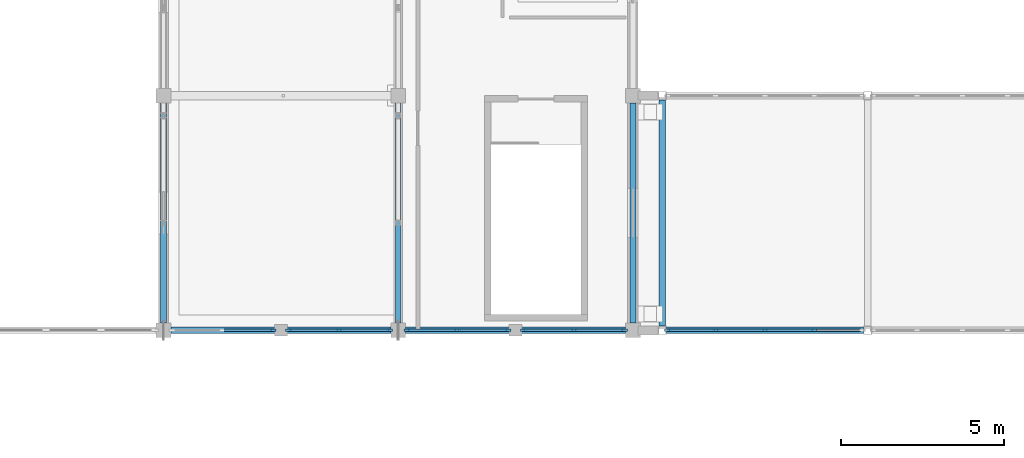
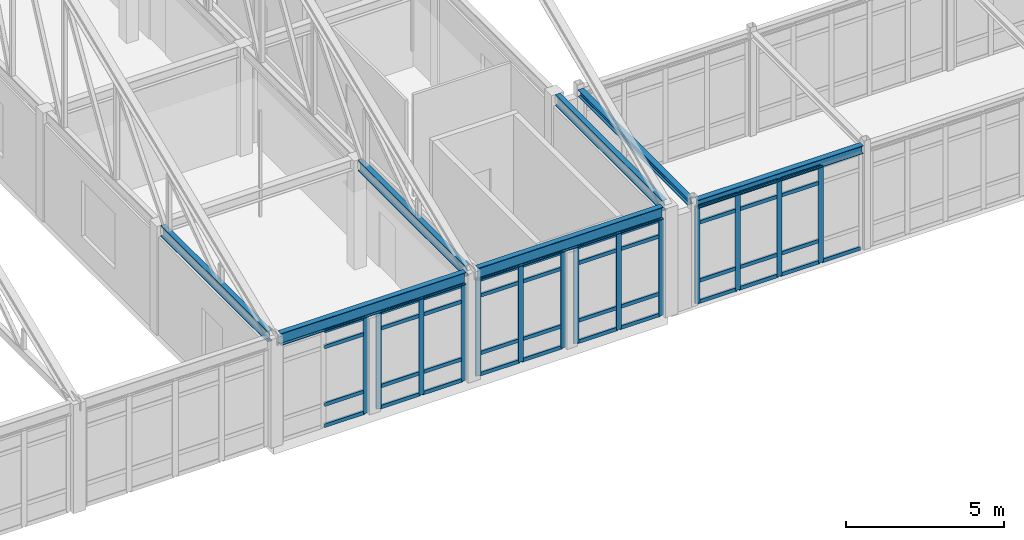
# One storey, part 31 of 136: 55 members, 7 beams, 5 elements without a shape of their own.
"""IFC4 building model written with IfcOpenShell, lengths in metres."""

from ifc_helpers import new_model, si_unit, direction, frame, origin, origin_2d, place, context, subcontext, project, spatial, rectangle, i_section, extrude, material, layer, layer_set, material_profile, profile_set, type_object, element, aggregate, save


model = new_model("IFC4")

# Units and contexts
model_context = context("Model", 3, precision=1e-05, world=origin(), true_north=direction((0.0, 1.0)))
body_context = subcontext(model_context, "Body", "Model", "MODEL_VIEW")
ifc_project = project(units=[si_unit("LENGTHUNIT", "METRE"), si_unit("AREAUNIT", "SQUARE_METRE"), si_unit("VOLUMEUNIT", "CUBIC_METRE"), si_unit("PLANEANGLEUNIT", "RADIAN"), si_unit("MASSUNIT", "GRAM", prefix="KILO")], contexts=[model_context])

# Site, building, storey
site_placement = place(None, origin())
site = spatial("IfcSite", under=ifc_project, at=site_placement, CompositionType="ELEMENT")
building_placement = place(site_placement, origin())
building = spatial("IfcBuilding", under=site, at=building_placement, Name="Koriwan Promenade Central Fire Station", CompositionType="ELEMENT")
storey_placement = place(building_placement, frame((0.0, 0.0, 5.39990234375)))
storey = spatial("IfcBuildingStorey", under=building, at=storey_placement, Name="L01", CompositionType="ELEMENT", Elevation=5.39990234375)

# Curtain wall, members
ifc_material_1 = material(Name="Aluminium EN AW-6063-T6 and low-E glazing", Category="aluminium")
ifc_layer_1 = layer(ifc_material_1, 0.159912109375, Name="Aluminium EN AW-6063-T6 and low-E glazing")
ifc_layer_set_1 = layer_set([ifc_layer_1], Name="Aluminium EN AW-6063-T6 and low-E glazing")
curtain_wall_type_1 = type_object("IfcCurtainWallType", Name="CurtainWall_01_317x372", PredefinedType="USERDEFINED", material=ifc_layer_set_1)
curtain_wall_1_placement = place(storey_placement, origin())
curtain_wall_1 = element("IfcCurtainWall", 1, at=curtain_wall_1_placement, inside=storey, type_object=curtain_wall_type_1, Name="V1 L01 unitised curtain wall 009", ObjectType="UNITISED CURTAIN WALL", PredefinedType="USERDEFINED")
ifc_material_2 = material(Name="Aluminium EN AW-6063-T6", Category="aluminium")
ifc_material_profile_1 = material_profile(ifc_material_2, rectangle(XDim=0.074951171875, YDim=0.179931640625, at=origin_2d()), Name="ALU-MUL-75x180")
ifc_profile_set_1 = profile_set([ifc_material_profile_1], Name="Aluminium EN AW-6063-T6")
member_type_1 = type_object("IfcMemberType", Name="CWMullion_ALU-MUL-75x180", PredefinedType="MULLION", material=ifc_profile_set_1)
member_1_placement = place(storey_placement, frame((114.9375, 43.199951171875, 0.0), z_axis=(0.0, 0.0, 1.0), x_axis=(0.0, -1.0, 0.0)))
member_1 = element("IfcMember", 2, at=member_1_placement, type_object=member_type_1, Name="CW-01 mullion 1", PredefinedType="MULLION", context=body_context, shape_type="SweptSolid", body=[
    extrude(rectangle(XDim=0.074951171875, YDim=0.179931640625, at=origin_2d()), origin(), (0.0, 0.0, 1.0), 3.72119140625),
])
member_2_placement = place(storey_placement, frame((113.387451171875, 43.199951171875, 0.0), z_axis=(0.0, 0.0, 1.0), x_axis=(0.0, -1.0, 0.0)))
member_2 = element("IfcMember", 3, at=member_2_placement, type_object=member_type_1, Name="CW-01 mullion 2", PredefinedType="MULLION", context=body_context, shape_type="SweptSolid", body=[
    extrude(rectangle(XDim=0.074951171875, YDim=0.179931640625, at=origin_2d()), origin(), (0.0, 0.0, 1.0), 3.72119140625),
])
member_3_placement = place(storey_placement, frame((111.83740234375, 43.199951171875, 0.0), z_axis=(0.0, 0.0, 1.0), x_axis=(0.0, -1.0, 0.0)))
member_3 = element("IfcMember", 4, at=member_3_placement, type_object=member_type_1, Name="CW-01 mullion 3", PredefinedType="MULLION", context=body_context, shape_type="SweptSolid", body=[
    extrude(rectangle(XDim=0.074951171875, YDim=0.179931640625, at=origin_2d()), origin(), (0.0, 0.0, 1.0), 3.72119140625),
])

ifc_layer_2 = layer(ifc_material_1, 0.159912109375, Name="Aluminium EN AW-6063-T6 and low-E glazing")
ifc_layer_set_2 = layer_set([ifc_layer_2], Name="Aluminium EN AW-6063-T6 and low-E glazing")
curtain_wall_type_2 = type_object("IfcCurtainWallType", Name="CurtainWall_02_318x372", PredefinedType="USERDEFINED", material=ifc_layer_set_2)
curtain_wall_2_placement = place(storey_placement, origin())
curtain_wall_2 = element("IfcCurtainWall", 5, at=curtain_wall_2_placement, inside=storey, type_object=curtain_wall_type_2, Name="V1 L01 unitised curtain wall 010", ObjectType="UNITISED CURTAIN WALL", PredefinedType="USERDEFINED")
member_4_placement = place(storey_placement, frame((111.362548828125, 43.199951171875, 0.0), z_axis=(0.0, 0.0, 1.0), x_axis=(0.0, -1.0, 0.0)))
member_4 = element("IfcMember", 6, at=member_4_placement, type_object=member_type_1, Name="CW-02 mullion 1", PredefinedType="MULLION", context=body_context, shape_type="SweptSolid", body=[
    extrude(rectangle(XDim=0.074951171875, YDim=0.179931640625, at=origin_2d()), origin(), (0.0, 0.0, 1.0), 3.72119140625),
])
member_5_placement = place(storey_placement, frame((109.8125, 43.199951171875, 0.0), z_axis=(0.0, 0.0, 1.0), x_axis=(0.0, -1.0, 0.0)))
member_5 = element("IfcMember", 7, at=member_5_placement, type_object=member_type_1, Name="CW-02 mullion 2", PredefinedType="MULLION", context=body_context, shape_type="SweptSolid", body=[
    extrude(rectangle(XDim=0.074951171875, YDim=0.179931640625, at=origin_2d()), origin(), (0.0, 0.0, 1.0), 3.72119140625),
])
member_6_placement = place(storey_placement, frame((108.262451171875, 43.199951171875, 0.0), z_axis=(0.0, 0.0, 1.0), x_axis=(0.0, -1.0, 0.0)))
member_6 = element("IfcMember", 8, at=member_6_placement, type_object=member_type_1, Name="CW-02 mullion 3", PredefinedType="MULLION", context=body_context, shape_type="SweptSolid", body=[
    extrude(rectangle(XDim=0.074951171875, YDim=0.179931640625, at=origin_2d()), origin(), (0.0, 0.0, 1.0), 3.72119140625),
])

curtain_wall_3_placement = place(storey_placement, origin())
curtain_wall_3 = element("IfcCurtainWall", 9, at=curtain_wall_3_placement, inside=storey, type_object=curtain_wall_type_2, Name="V1 L01 unitised curtain wall 011", ObjectType="UNITISED CURTAIN WALL", PredefinedType="USERDEFINED")
member_7_placement = place(storey_placement, frame((107.737548828125, 43.199951171875, 0.0), z_axis=(0.0, 0.0, 1.0), x_axis=(0.0, -1.0, 0.0)))
member_7 = element("IfcMember", 10, at=member_7_placement, type_object=member_type_1, Name="CW-02 mullion 1", PredefinedType="MULLION", context=body_context, shape_type="SweptSolid", body=[
    extrude(rectangle(XDim=0.074951171875, YDim=0.179931640625, at=origin_2d()), origin(), (0.0, 0.0, 1.0), 3.72119140625),
])
member_8_placement = place(storey_placement, frame((106.1875, 43.199951171875, 0.0), z_axis=(0.0, 0.0, 1.0), x_axis=(0.0, -1.0, 0.0)))
member_8 = element("IfcMember", 11, at=member_8_placement, type_object=member_type_1, Name="CW-02 mullion 2", PredefinedType="MULLION", context=body_context, shape_type="SweptSolid", body=[
    extrude(rectangle(XDim=0.074951171875, YDim=0.179931640625, at=origin_2d()), origin(), (0.0, 0.0, 1.0), 3.72119140625),
])
member_9_placement = place(storey_placement, frame((104.637451171875, 43.199951171875, 0.0), z_axis=(0.0, 0.0, 1.0), x_axis=(0.0, -1.0, 0.0)))
member_9 = element("IfcMember", 12, at=member_9_placement, type_object=member_type_1, Name="CW-02 mullion 3", PredefinedType="MULLION", context=body_context, shape_type="SweptSolid", body=[
    extrude(rectangle(XDim=0.074951171875, YDim=0.179931640625, at=origin_2d()), origin(), (0.0, 0.0, 1.0), 3.72119140625),
])

# Curtain wall, member
curtain_wall_4_placement = place(storey_placement, origin())
curtain_wall_4 = element("IfcCurtainWall", 13, at=curtain_wall_4_placement, inside=storey, type_object=curtain_wall_type_1, Name="V1 L01 unitised curtain wall 012", ObjectType="UNITISED CURTAIN WALL", PredefinedType="USERDEFINED")
member_10_placement = place(storey_placement, frame((104.16259765625, 43.199951171875, 0.0), z_axis=(0.0, 0.0, 1.0), x_axis=(0.0, -1.0, 0.0)))
member_10 = element("IfcMember", 14, at=member_10_placement, type_object=member_type_1, Name="CW-01 mullion 1", PredefinedType="MULLION", context=body_context, shape_type="SweptSolid", body=[
    extrude(rectangle(XDim=0.074951171875, YDim=0.179931640625, at=origin_2d()), origin(), (0.0, 0.0, 1.0), 3.72119140625),
])

# Curtain wall, members
ifc_layer_3 = layer(ifc_material_1, 0.159912109375, Name="Aluminium EN AW-6063-T6 and low-E glazing")
ifc_layer_set_3 = layer_set([ifc_layer_3], Name="Aluminium EN AW-6063-T6 and low-E glazing")
curtain_wall_type_3 = type_object("IfcCurtainWallType", Name="CurtainWall_97_605x374", PredefinedType="USERDEFINED", material=ifc_layer_set_3)
curtain_wall_5_placement = place(storey_placement, origin())
curtain_wall_5 = element("IfcCurtainWall", 15, at=curtain_wall_5_placement, inside=storey, type_object=curtain_wall_type_3, Name="V5 L01 unitised curtain wall 308", ObjectType="UNITISED CURTAIN WALL", PredefinedType="USERDEFINED")
member_11_placement = place(storey_placement, frame((116.262451171875, 43.199951171875, 0.0), z_axis=(0.0, 0.0, 1.0), x_axis=(0.0, 1.0, 0.0)))
member_11 = element("IfcMember", 16, at=member_11_placement, type_object=member_type_1, Name="CW-97 mullion 1", PredefinedType="MULLION", context=body_context, shape_type="SweptSolid", body=[
    extrude(rectangle(XDim=0.074951171875, YDim=0.179931640625, at=origin_2d()), origin(), (0.0, 0.0, 1.0), 3.739990234375),
])
member_12_placement = place(storey_placement, frame((117.737548828125, 43.199951171875, 0.0), z_axis=(0.0, 0.0, 1.0), x_axis=(0.0, 1.0, 0.0)))
member_12 = element("IfcMember", 17, at=member_12_placement, type_object=member_type_1, Name="CW-97 mullion 2", PredefinedType="MULLION", context=body_context, shape_type="SweptSolid", body=[
    extrude(rectangle(XDim=0.074951171875, YDim=0.179931640625, at=origin_2d()), origin(), (0.0, 0.0, 1.0), 3.739990234375),
])
member_13_placement = place(storey_placement, frame((119.25, 43.199951171875, 0.0), z_axis=(0.0, 0.0, 1.0), x_axis=(0.0, 1.0, 0.0)))
member_13 = element("IfcMember", 18, at=member_13_placement, type_object=member_type_1, Name="CW-97 mullion 3", PredefinedType="MULLION", context=body_context, shape_type="SweptSolid", body=[
    extrude(rectangle(XDim=0.074951171875, YDim=0.179931640625, at=origin_2d()), origin(), (0.0, 0.0, 1.0), 3.739990234375),
])
member_14_placement = place(storey_placement, frame((120.762451171875, 43.199951171875, 0.0), z_axis=(0.0, 0.0, 1.0), x_axis=(0.0, 1.0, 0.0)))
member_14 = element("IfcMember", 19, at=member_14_placement, type_object=member_type_1, Name="CW-97 mullion 4", PredefinedType="MULLION", context=body_context, shape_type="SweptSolid", body=[
    extrude(rectangle(XDim=0.074951171875, YDim=0.179931640625, at=origin_2d()), origin(), (0.0, 0.0, 1.0), 3.739990234375),
])

# Member
ifc_material_profile_2 = material_profile(ifc_material_2, rectangle(XDim=0.074951171875, YDim=0.139892578125, at=origin_2d()), Name="ALU-TRN-75x140")
ifc_profile_set_2 = profile_set([ifc_material_profile_2], Name="Aluminium EN AW-6063-T6")
member_type_2 = type_object("IfcMemberType", Name="CWTransom_ALU-TRN-75x140", PredefinedType="USERDEFINED", material=ifc_profile_set_2)
member_15_placement = place(storey_placement, frame((114.89990234375, 43.199951171875, 0.03759765625), z_axis=(-1.0, 0.0, 0.0), x_axis=(0.0, -1.0, 0.0)))
member_15 = element("IfcMember", 20, at=member_15_placement, type_object=member_type_2, Name="CW-01 transom 1.1", ObjectType="TRANSOM", PredefinedType="USERDEFINED", context=body_context, shape_type="SweptSolid", body=[
    extrude(rectangle(XDim=0.074951171875, YDim=0.139892578125, at=origin_2d()), origin(), (0.0, 0.0, 1.0), 1.474853515625),
])

member_16_placement = place(storey_placement, frame((114.89990234375, 43.199951171875, 0.85009765625), z_axis=(-1.0, 0.0, 0.0), x_axis=(0.0, -1.0, 0.0)))
member_16 = element("IfcMember", 21, at=member_16_placement, type_object=member_type_2, Name="CW-01 transom 1.2", ObjectType="TRANSOM", PredefinedType="USERDEFINED", context=body_context, shape_type="SweptSolid", body=[
    extrude(rectangle(XDim=0.074951171875, YDim=0.139892578125, at=origin_2d()), origin(), (0.0, 0.0, 1.0), 1.474853515625),
])

member_17_placement = place(storey_placement, frame((114.89990234375, 43.199951171875, 3.071044921875), z_axis=(-1.0, 0.0, 0.0), x_axis=(0.0, -1.0, 0.0)))
member_17 = element("IfcMember", 22, at=member_17_placement, type_object=member_type_2, Name="CW-01 transom 1.3", ObjectType="TRANSOM", PredefinedType="USERDEFINED", context=body_context, shape_type="SweptSolid", body=[
    extrude(rectangle(XDim=0.074951171875, YDim=0.139892578125, at=origin_2d()), origin(), (0.0, 0.0, 1.0), 1.474853515625),
])

member_18_placement = place(storey_placement, frame((114.89990234375, 43.199951171875, 3.68359375), z_axis=(-1.0, 0.0, 0.0), x_axis=(0.0, -1.0, 0.0)))
member_18 = element("IfcMember", 23, at=member_18_placement, type_object=member_type_2, Name="CW-01 transom 1.4", ObjectType="TRANSOM", PredefinedType="USERDEFINED", context=body_context, shape_type="SweptSolid", body=[
    extrude(rectangle(XDim=0.074951171875, YDim=0.139892578125, at=origin_2d()), origin(), (0.0, 0.0, 1.0), 1.474853515625),
])

member_19_placement = place(storey_placement, frame((113.35009765625, 43.199951171875, 0.03759765625), z_axis=(-1.0, 0.0, 0.0), x_axis=(0.0, -1.0, 0.0)))
member_19 = element("IfcMember", 24, at=member_19_placement, type_object=member_type_2, Name="CW-01 transom 2.1", ObjectType="TRANSOM", PredefinedType="USERDEFINED", context=body_context, shape_type="SweptSolid", body=[
    extrude(rectangle(XDim=0.074951171875, YDim=0.139892578125, at=origin_2d()), origin(), (0.0, 0.0, 1.0), 1.47509765625),
])

member_20_placement = place(storey_placement, frame((113.35009765625, 43.199951171875, 0.85009765625), z_axis=(-1.0, 0.0, 0.0), x_axis=(0.0, -1.0, 0.0)))
member_20 = element("IfcMember", 25, at=member_20_placement, type_object=member_type_2, Name="CW-01 transom 2.2", ObjectType="TRANSOM", PredefinedType="USERDEFINED", context=body_context, shape_type="SweptSolid", body=[
    extrude(rectangle(XDim=0.074951171875, YDim=0.139892578125, at=origin_2d()), origin(), (0.0, 0.0, 1.0), 1.47509765625),
])

member_21_placement = place(storey_placement, frame((113.35009765625, 43.199951171875, 3.071044921875), z_axis=(-1.0, 0.0, 0.0), x_axis=(0.0, -1.0, 0.0)))
member_21 = element("IfcMember", 26, at=member_21_placement, type_object=member_type_2, Name="CW-01 transom 2.3", ObjectType="TRANSOM", PredefinedType="USERDEFINED", context=body_context, shape_type="SweptSolid", body=[
    extrude(rectangle(XDim=0.074951171875, YDim=0.139892578125, at=origin_2d()), origin(), (0.0, 0.0, 1.0), 1.47509765625),
])

member_22_placement = place(storey_placement, frame((113.35009765625, 43.199951171875, 3.68359375), z_axis=(-1.0, 0.0, 0.0), x_axis=(0.0, -1.0, 0.0)))
member_22 = element("IfcMember", 27, at=member_22_placement, type_object=member_type_2, Name="CW-01 transom 2.4", ObjectType="TRANSOM", PredefinedType="USERDEFINED", context=body_context, shape_type="SweptSolid", body=[
    extrude(rectangle(XDim=0.074951171875, YDim=0.139892578125, at=origin_2d()), origin(), (0.0, 0.0, 1.0), 1.47509765625),
])

aggregate(curtain_wall_1, [member_1, member_2, member_3, member_15, member_16, member_17, member_18, member_19, member_20, member_21, member_22])

member_23_placement = place(storey_placement, frame((111.324951171875, 43.199951171875, 0.03759765625), z_axis=(-1.0, 0.0, 0.0), x_axis=(0.0, -1.0, 0.0)))
member_23 = element("IfcMember", 28, at=member_23_placement, type_object=member_type_2, Name="CW-02 transom 1.1", ObjectType="TRANSOM", PredefinedType="USERDEFINED", context=body_context, shape_type="SweptSolid", body=[
    extrude(rectangle(XDim=0.074951171875, YDim=0.139892578125, at=origin_2d()), origin(), (0.0, 0.0, 1.0), 1.474853515625),
])

member_24_placement = place(storey_placement, frame((111.324951171875, 43.199951171875, 0.85009765625), z_axis=(-1.0, 0.0, 0.0), x_axis=(0.0, -1.0, 0.0)))
member_24 = element("IfcMember", 29, at=member_24_placement, type_object=member_type_2, Name="CW-02 transom 1.2", ObjectType="TRANSOM", PredefinedType="USERDEFINED", context=body_context, shape_type="SweptSolid", body=[
    extrude(rectangle(XDim=0.074951171875, YDim=0.139892578125, at=origin_2d()), origin(), (0.0, 0.0, 1.0), 1.474853515625),
])

member_25_placement = place(storey_placement, frame((111.324951171875, 43.199951171875, 3.071044921875), z_axis=(-1.0, 0.0, 0.0), x_axis=(0.0, -1.0, 0.0)))
member_25 = element("IfcMember", 30, at=member_25_placement, type_object=member_type_2, Name="CW-02 transom 1.3", ObjectType="TRANSOM", PredefinedType="USERDEFINED", context=body_context, shape_type="SweptSolid", body=[
    extrude(rectangle(XDim=0.074951171875, YDim=0.139892578125, at=origin_2d()), origin(), (0.0, 0.0, 1.0), 1.474853515625),
])

member_26_placement = place(storey_placement, frame((111.324951171875, 43.199951171875, 3.68359375), z_axis=(-1.0, 0.0, 0.0), x_axis=(0.0, -1.0, 0.0)))
member_26 = element("IfcMember", 31, at=member_26_placement, type_object=member_type_2, Name="CW-02 transom 1.4", ObjectType="TRANSOM", PredefinedType="USERDEFINED", context=body_context, shape_type="SweptSolid", body=[
    extrude(rectangle(XDim=0.074951171875, YDim=0.139892578125, at=origin_2d()), origin(), (0.0, 0.0, 1.0), 1.474853515625),
])

member_27_placement = place(storey_placement, frame((109.77490234375, 43.199951171875, 0.03759765625), z_axis=(-1.0, 0.0, 0.0), x_axis=(0.0, -1.0, 0.0)))
member_27 = element("IfcMember", 32, at=member_27_placement, type_object=member_type_2, Name="CW-02 transom 2.1", ObjectType="TRANSOM", PredefinedType="USERDEFINED", context=body_context, shape_type="SweptSolid", body=[
    extrude(rectangle(XDim=0.074951171875, YDim=0.139892578125, at=origin_2d()), origin(), (0.0, 0.0, 1.0), 1.474853515625),
])

member_28_placement = place(storey_placement, frame((109.77490234375, 43.199951171875, 0.85009765625), z_axis=(-1.0, 0.0, 0.0), x_axis=(0.0, -1.0, 0.0)))
member_28 = element("IfcMember", 33, at=member_28_placement, type_object=member_type_2, Name="CW-02 transom 2.2", ObjectType="TRANSOM", PredefinedType="USERDEFINED", context=body_context, shape_type="SweptSolid", body=[
    extrude(rectangle(XDim=0.074951171875, YDim=0.139892578125, at=origin_2d()), origin(), (0.0, 0.0, 1.0), 1.474853515625),
])

member_29_placement = place(storey_placement, frame((109.77490234375, 43.199951171875, 3.071044921875), z_axis=(-1.0, 0.0, 0.0), x_axis=(0.0, -1.0, 0.0)))
member_29 = element("IfcMember", 34, at=member_29_placement, type_object=member_type_2, Name="CW-02 transom 2.3", ObjectType="TRANSOM", PredefinedType="USERDEFINED", context=body_context, shape_type="SweptSolid", body=[
    extrude(rectangle(XDim=0.074951171875, YDim=0.139892578125, at=origin_2d()), origin(), (0.0, 0.0, 1.0), 1.474853515625),
])

member_30_placement = place(storey_placement, frame((109.77490234375, 43.199951171875, 3.68359375), z_axis=(-1.0, 0.0, 0.0), x_axis=(0.0, -1.0, 0.0)))
member_30 = element("IfcMember", 35, at=member_30_placement, type_object=member_type_2, Name="CW-02 transom 2.4", ObjectType="TRANSOM", PredefinedType="USERDEFINED", context=body_context, shape_type="SweptSolid", body=[
    extrude(rectangle(XDim=0.074951171875, YDim=0.139892578125, at=origin_2d()), origin(), (0.0, 0.0, 1.0), 1.474853515625),
])

aggregate(curtain_wall_2, [member_4, member_5, member_6, member_23, member_24, member_25, member_26, member_27, member_28, member_29, member_30])

member_31_placement = place(storey_placement, frame((107.699951171875, 43.199951171875, 0.03759765625), z_axis=(-1.0, 0.0, 0.0), x_axis=(0.0, -1.0, 0.0)))
member_31 = element("IfcMember", 36, at=member_31_placement, type_object=member_type_2, Name="CW-02 transom 1.1", ObjectType="TRANSOM", PredefinedType="USERDEFINED", context=body_context, shape_type="SweptSolid", body=[
    extrude(rectangle(XDim=0.074951171875, YDim=0.139892578125, at=origin_2d()), origin(), (0.0, 0.0, 1.0), 1.474853515625),
])

member_32_placement = place(storey_placement, frame((107.699951171875, 43.199951171875, 0.85009765625), z_axis=(-1.0, 0.0, 0.0), x_axis=(0.0, -1.0, 0.0)))
member_32 = element("IfcMember", 37, at=member_32_placement, type_object=member_type_2, Name="CW-02 transom 1.2", ObjectType="TRANSOM", PredefinedType="USERDEFINED", context=body_context, shape_type="SweptSolid", body=[
    extrude(rectangle(XDim=0.074951171875, YDim=0.139892578125, at=origin_2d()), origin(), (0.0, 0.0, 1.0), 1.474853515625),
])

member_33_placement = place(storey_placement, frame((107.699951171875, 43.199951171875, 3.071044921875), z_axis=(-1.0, 0.0, 0.0), x_axis=(0.0, -1.0, 0.0)))
member_33 = element("IfcMember", 38, at=member_33_placement, type_object=member_type_2, Name="CW-02 transom 1.3", ObjectType="TRANSOM", PredefinedType="USERDEFINED", context=body_context, shape_type="SweptSolid", body=[
    extrude(rectangle(XDim=0.074951171875, YDim=0.139892578125, at=origin_2d()), origin(), (0.0, 0.0, 1.0), 1.474853515625),
])

member_34_placement = place(storey_placement, frame((107.699951171875, 43.199951171875, 3.68359375), z_axis=(-1.0, 0.0, 0.0), x_axis=(0.0, -1.0, 0.0)))
member_34 = element("IfcMember", 39, at=member_34_placement, type_object=member_type_2, Name="CW-02 transom 1.4", ObjectType="TRANSOM", PredefinedType="USERDEFINED", context=body_context, shape_type="SweptSolid", body=[
    extrude(rectangle(XDim=0.074951171875, YDim=0.139892578125, at=origin_2d()), origin(), (0.0, 0.0, 1.0), 1.474853515625),
])

member_35_placement = place(storey_placement, frame((106.14990234375, 43.199951171875, 0.03759765625), z_axis=(-1.0, 0.0, 0.0), x_axis=(0.0, -1.0, 0.0)))
member_35 = element("IfcMember", 40, at=member_35_placement, type_object=member_type_2, Name="CW-02 transom 2.1", ObjectType="TRANSOM", PredefinedType="USERDEFINED", context=body_context, shape_type="SweptSolid", body=[
    extrude(rectangle(XDim=0.074951171875, YDim=0.139892578125, at=origin_2d()), origin(), (0.0, 0.0, 1.0), 1.474853515625),
])

member_36_placement = place(storey_placement, frame((106.14990234375, 43.199951171875, 0.85009765625), z_axis=(-1.0, 0.0, 0.0), x_axis=(0.0, -1.0, 0.0)))
member_36 = element("IfcMember", 41, at=member_36_placement, type_object=member_type_2, Name="CW-02 transom 2.2", ObjectType="TRANSOM", PredefinedType="USERDEFINED", context=body_context, shape_type="SweptSolid", body=[
    extrude(rectangle(XDim=0.074951171875, YDim=0.139892578125, at=origin_2d()), origin(), (0.0, 0.0, 1.0), 1.474853515625),
])

member_37_placement = place(storey_placement, frame((106.14990234375, 43.199951171875, 3.071044921875), z_axis=(-1.0, 0.0, 0.0), x_axis=(0.0, -1.0, 0.0)))
member_37 = element("IfcMember", 42, at=member_37_placement, type_object=member_type_2, Name="CW-02 transom 2.3", ObjectType="TRANSOM", PredefinedType="USERDEFINED", context=body_context, shape_type="SweptSolid", body=[
    extrude(rectangle(XDim=0.074951171875, YDim=0.139892578125, at=origin_2d()), origin(), (0.0, 0.0, 1.0), 1.474853515625),
])

member_38_placement = place(storey_placement, frame((106.14990234375, 43.199951171875, 3.68359375), z_axis=(-1.0, 0.0, 0.0), x_axis=(0.0, -1.0, 0.0)))
member_38 = element("IfcMember", 43, at=member_38_placement, type_object=member_type_2, Name="CW-02 transom 2.4", ObjectType="TRANSOM", PredefinedType="USERDEFINED", context=body_context, shape_type="SweptSolid", body=[
    extrude(rectangle(XDim=0.074951171875, YDim=0.139892578125, at=origin_2d()), origin(), (0.0, 0.0, 1.0), 1.474853515625),
])

aggregate(curtain_wall_3, [member_7, member_8, member_9, member_31, member_32, member_33, member_34, member_35, member_36, member_37, member_38])

member_39_placement = place(storey_placement, frame((104.125, 43.199951171875, 0.03759765625), z_axis=(-1.0, 0.0, 0.0), x_axis=(0.0, -1.0, 0.0)))
member_39 = element("IfcMember", 44, at=member_39_placement, type_object=member_type_2, Name="CW-01 transom 1.1", ObjectType="TRANSOM", PredefinedType="USERDEFINED", context=body_context, shape_type="SweptSolid", body=[
    extrude(rectangle(XDim=0.074951171875, YDim=0.139892578125, at=origin_2d()), origin(), (0.0, 0.0, 1.0), 1.47509765625),
])

member_40_placement = place(storey_placement, frame((104.125, 43.199951171875, 0.85009765625), z_axis=(-1.0, 0.0, 0.0), x_axis=(0.0, -1.0, 0.0)))
member_40 = element("IfcMember", 45, at=member_40_placement, type_object=member_type_2, Name="CW-01 transom 1.2", ObjectType="TRANSOM", PredefinedType="USERDEFINED", context=body_context, shape_type="SweptSolid", body=[
    extrude(rectangle(XDim=0.074951171875, YDim=0.139892578125, at=origin_2d()), origin(), (0.0, 0.0, 1.0), 1.47509765625),
])

member_41_placement = place(storey_placement, frame((104.125, 43.199951171875, 3.071044921875), z_axis=(-1.0, 0.0, 0.0), x_axis=(0.0, -1.0, 0.0)))
member_41 = element("IfcMember", 46, at=member_41_placement, type_object=member_type_2, Name="CW-01 transom 1.3", ObjectType="TRANSOM", PredefinedType="USERDEFINED", context=body_context, shape_type="SweptSolid", body=[
    extrude(rectangle(XDim=0.074951171875, YDim=0.139892578125, at=origin_2d()), origin(), (0.0, 0.0, 1.0), 1.47509765625),
])

member_42_placement = place(storey_placement, frame((104.125, 43.199951171875, 3.68359375), z_axis=(-1.0, 0.0, 0.0), x_axis=(0.0, -1.0, 0.0)))
member_42 = element("IfcMember", 47, at=member_42_placement, type_object=member_type_2, Name="CW-01 transom 1.4", ObjectType="TRANSOM", PredefinedType="USERDEFINED", context=body_context, shape_type="SweptSolid", body=[
    extrude(rectangle(XDim=0.074951171875, YDim=0.139892578125, at=origin_2d()), origin(), (0.0, 0.0, 1.0), 1.47509765625),
])

aggregate(curtain_wall_4, [member_10, member_39, member_40, member_41, member_42])

member_43_placement = place(storey_placement, frame((116.300048828125, 43.199951171875, 0.03759765625), z_axis=(1.0, 0.0, 0.0), x_axis=(0.0, 1.0, 0.0)))
member_43 = element("IfcMember", 48, at=member_43_placement, type_object=member_type_2, Name="CW-97 transom 1.1", ObjectType="TRANSOM", PredefinedType="USERDEFINED", context=body_context, shape_type="SweptSolid", body=[
    extrude(rectangle(XDim=0.074951171875, YDim=0.139892578125, at=origin_2d()), origin(), (0.0, 0.0, 1.0), 1.39990234375),
])

member_44_placement = place(storey_placement, frame((116.300048828125, 43.199951171875, 0.85009765625), z_axis=(1.0, 0.0, 0.0), x_axis=(0.0, 1.0, 0.0)))
member_44 = element("IfcMember", 49, at=member_44_placement, type_object=member_type_2, Name="CW-97 transom 1.2", ObjectType="TRANSOM", PredefinedType="USERDEFINED", context=body_context, shape_type="SweptSolid", body=[
    extrude(rectangle(XDim=0.074951171875, YDim=0.139892578125, at=origin_2d()), origin(), (0.0, 0.0, 1.0), 1.39990234375),
])

member_45_placement = place(storey_placement, frame((116.300048828125, 43.199951171875, 3.090087890625), z_axis=(1.0, 0.0, 0.0), x_axis=(0.0, 1.0, 0.0)))
member_45 = element("IfcMember", 50, at=member_45_placement, type_object=member_type_2, Name="CW-97 transom 1.3", ObjectType="TRANSOM", PredefinedType="USERDEFINED", context=body_context, shape_type="SweptSolid", body=[
    extrude(rectangle(XDim=0.074951171875, YDim=0.139892578125, at=origin_2d()), origin(), (0.0, 0.0, 1.0), 1.39990234375),
])

member_46_placement = place(storey_placement, frame((116.300048828125, 43.199951171875, 3.70263671875), z_axis=(1.0, 0.0, 0.0), x_axis=(0.0, 1.0, 0.0)))
member_46 = element("IfcMember", 51, at=member_46_placement, type_object=member_type_2, Name="CW-97 transom 1.4", ObjectType="TRANSOM", PredefinedType="USERDEFINED", context=body_context, shape_type="SweptSolid", body=[
    extrude(rectangle(XDim=0.074951171875, YDim=0.139892578125, at=origin_2d()), origin(), (0.0, 0.0, 1.0), 1.39990234375),
])

member_47_placement = place(storey_placement, frame((117.77490234375, 43.199951171875, 0.03759765625), z_axis=(1.0, 0.0, 0.0), x_axis=(0.0, 1.0, 0.0)))
member_47 = element("IfcMember", 52, at=member_47_placement, type_object=member_type_2, Name="CW-97 transom 2.1", ObjectType="TRANSOM", PredefinedType="USERDEFINED", context=body_context, shape_type="SweptSolid", body=[
    extrude(rectangle(XDim=0.074951171875, YDim=0.139892578125, at=origin_2d()), origin(), (0.0, 0.0, 1.0), 1.4375),
])

member_48_placement = place(storey_placement, frame((117.77490234375, 43.199951171875, 0.85009765625), z_axis=(1.0, 0.0, 0.0), x_axis=(0.0, 1.0, 0.0)))
member_48 = element("IfcMember", 53, at=member_48_placement, type_object=member_type_2, Name="CW-97 transom 2.2", ObjectType="TRANSOM", PredefinedType="USERDEFINED", context=body_context, shape_type="SweptSolid", body=[
    extrude(rectangle(XDim=0.074951171875, YDim=0.139892578125, at=origin_2d()), origin(), (0.0, 0.0, 1.0), 1.4375),
])

member_49_placement = place(storey_placement, frame((117.77490234375, 43.199951171875, 3.090087890625), z_axis=(1.0, 0.0, 0.0), x_axis=(0.0, 1.0, 0.0)))
member_49 = element("IfcMember", 54, at=member_49_placement, type_object=member_type_2, Name="CW-97 transom 2.3", ObjectType="TRANSOM", PredefinedType="USERDEFINED", context=body_context, shape_type="SweptSolid", body=[
    extrude(rectangle(XDim=0.074951171875, YDim=0.139892578125, at=origin_2d()), origin(), (0.0, 0.0, 1.0), 1.4375),
])

member_50_placement = place(storey_placement, frame((117.77490234375, 43.199951171875, 3.70263671875), z_axis=(1.0, 0.0, 0.0), x_axis=(0.0, 1.0, 0.0)))
member_50 = element("IfcMember", 55, at=member_50_placement, type_object=member_type_2, Name="CW-97 transom 2.4", ObjectType="TRANSOM", PredefinedType="USERDEFINED", context=body_context, shape_type="SweptSolid", body=[
    extrude(rectangle(XDim=0.074951171875, YDim=0.139892578125, at=origin_2d()), origin(), (0.0, 0.0, 1.0), 1.4375),
])

member_51_placement = place(storey_placement, frame((119.28759765625, 43.199951171875, 0.03759765625), z_axis=(1.0, 0.0, 0.0), x_axis=(0.0, 1.0, 0.0)))
member_51 = element("IfcMember", 56, at=member_51_placement, type_object=member_type_2, Name="CW-97 transom 3.1", ObjectType="TRANSOM", PredefinedType="USERDEFINED", context=body_context, shape_type="SweptSolid", body=[
    extrude(rectangle(XDim=0.074951171875, YDim=0.139892578125, at=origin_2d()), origin(), (0.0, 0.0, 1.0), 1.4375),
])

member_52_placement = place(storey_placement, frame((119.28759765625, 43.199951171875, 0.85009765625), z_axis=(1.0, 0.0, 0.0), x_axis=(0.0, 1.0, 0.0)))
member_52 = element("IfcMember", 57, at=member_52_placement, type_object=member_type_2, Name="CW-97 transom 3.2", ObjectType="TRANSOM", PredefinedType="USERDEFINED", context=body_context, shape_type="SweptSolid", body=[
    extrude(rectangle(XDim=0.074951171875, YDim=0.139892578125, at=origin_2d()), origin(), (0.0, 0.0, 1.0), 1.4375),
])

member_53_placement = place(storey_placement, frame((119.28759765625, 43.199951171875, 3.090087890625), z_axis=(1.0, 0.0, 0.0), x_axis=(0.0, 1.0, 0.0)))
member_53 = element("IfcMember", 58, at=member_53_placement, type_object=member_type_2, Name="CW-97 transom 3.3", ObjectType="TRANSOM", PredefinedType="USERDEFINED", context=body_context, shape_type="SweptSolid", body=[
    extrude(rectangle(XDim=0.074951171875, YDim=0.139892578125, at=origin_2d()), origin(), (0.0, 0.0, 1.0), 1.4375),
])

member_54_placement = place(storey_placement, frame((119.28759765625, 43.199951171875, 3.70263671875), z_axis=(1.0, 0.0, 0.0), x_axis=(0.0, 1.0, 0.0)))
member_54 = element("IfcMember", 59, at=member_54_placement, type_object=member_type_2, Name="CW-97 transom 3.4", ObjectType="TRANSOM", PredefinedType="USERDEFINED", context=body_context, shape_type="SweptSolid", body=[
    extrude(rectangle(XDim=0.074951171875, YDim=0.139892578125, at=origin_2d()), origin(), (0.0, 0.0, 1.0), 1.4375),
])

member_55_placement = place(storey_placement, frame((120.800048828125, 43.199951171875, 0.03759765625), z_axis=(1.0, 0.0, 0.0), x_axis=(0.0, 1.0, 0.0)))
member_55 = element("IfcMember", 60, at=member_55_placement, type_object=member_type_2, Name="CW-97 transom 4.1", ObjectType="TRANSOM", PredefinedType="USERDEFINED", context=body_context, shape_type="SweptSolid", body=[
    extrude(rectangle(XDim=0.074951171875, YDim=0.139892578125, at=origin_2d()), origin(), (0.0, 0.0, 1.0), 1.39990234375),
])

aggregate(curtain_wall_5, [member_11, member_12, member_13, member_14, member_43, member_44, member_45, member_46, member_47, member_48, member_49, member_50, member_51, member_52, member_53, member_54, member_55])

# Beams
ifc_material_3 = material(Name="Steel ASTM A992 Grade 50", Category="steel")
ifc_material_profile_3 = material_profile(ifc_material_3, i_section(OverallWidth=0.202880859375, OverallDepth=0.251953125, WebThickness=0.008056640625, FlangeThickness=0.013427734375, FilletRadius=0.012939453125, at=origin_2d()), Name="W250x58")
ifc_profile_set_3 = profile_set([ifc_material_profile_3], Name="Steel ASTM A992 Grade 50")
beam_type_1 = type_object("IfcBeamType", Name="SteelBeam_W250x58", PredefinedType="JOIST", material=ifc_profile_set_3)
beam_1_placement = place(storey_placement, frame((116.10009765625, 43.330078125, 3.89404296875), z_axis=(0.0, 1.0, 0.0), x_axis=(-1.0, 0.0, 0.0)))
element("IfcBeam", 61, at=beam_1_placement, inside=storey, type_object=beam_type_1, Name="Bridge roof cross beam 1136", PredefinedType="JOIST", context=body_context, shape_type="SweptSolid", body=[
    extrude(i_section(OverallWidth=0.202880859375, OverallDepth=0.251953125, WebThickness=0.008056640625, FlangeThickness=0.013427734375, FilletRadius=0.012939453125, at=origin_2d()), origin(), (0.0, 0.0, 1.0), 6.93994140625),
])
ifc_material_profile_4 = material_profile(ifc_material_3, i_section(OverallWidth=0.205078125, OverallDepth=0.31005859375, WebThickness=0.009521484375, FlangeThickness=0.016357421875, FilletRadius=0.014892578125, at=origin_2d()), Name="W310x74")
ifc_profile_set_4 = profile_set([ifc_material_profile_4], Name="Steel ASTM A992 Grade 50")
beam_type_2 = type_object("IfcBeamType", Name="SteelBeam_W310x74", PredefinedType="BEAM", material=ifc_profile_set_4)
beam_2_placement = place(storey_placement, frame((116.22998046875, 43.199951171875, 3.864990234375), z_axis=(1.0, 0.0, 0.0), x_axis=(0.0, 1.0, 0.0)))
element("IfcBeam", 62, at=beam_2_placement, inside=storey, type_object=beam_type_2, Name="Bridge roof girder 1116", PredefinedType="BEAM", context=body_context, shape_type="SweptSolid", body=[
    extrude(i_section(OverallWidth=0.205078125, OverallDepth=0.31005859375, WebThickness=0.009521484375, FlangeThickness=0.016357421875, FilletRadius=0.014892578125, at=origin_2d()), origin(), (0.0, 0.0, 1.0), 6.0400390625),
])
ifc_material_profile_5 = material_profile(ifc_material_3, i_section(OverallWidth=0.180908203125, OverallDepth=0.4169921875, WebThickness=0.010986328125, FlangeThickness=0.018310546875, FilletRadius=0.01611328125, at=origin_2d()), Name="W410x85")
ifc_profile_set_5 = profile_set([ifc_material_profile_5], Name="Steel ASTM A992 Grade 50")
beam_type_3 = type_object("IfcBeamType", Name="SteelBeam_W410x85", PredefinedType="BEAM", material=ifc_profile_set_5)
for number, where, z_axis, x_axis, name in (
    (63, (100.800048828125, 43.425048828125, 3.99169921875), (0.0, 1.0, 0.0), (-1.0, 0.0, 0.0), "V1 L01 girder Y-70"),
    (64, (108.0, 43.425048828125, 3.99169921875), (0.0, 1.0, 0.0), (-1.0, 0.0, 0.0), "V1 L01 girder Y-74"),
    (65, (115.199951171875, 43.425048828125, 3.99169921875), (0.0, 1.0, 0.0), (-1.0, 0.0, 0.0), "V1 L01 girder Y-78"),
):
    element("IfcBeam", number, at=place(storey_placement, frame(where, z_axis=z_axis, x_axis=x_axis)), inside=storey, type_object=beam_type_3, Name=name, PredefinedType="BEAM", context=body_context, shape_type="SweptSolid", body=[
        extrude(i_section(OverallWidth=0.180908203125, OverallDepth=0.4169921875, WebThickness=0.010986328125, FlangeThickness=0.018310546875, FilletRadius=0.01611328125, at=origin_2d()), origin(), (0.0, 0.0, 1.0), 6.75),
    ])
ifc_material_profile_6 = material_profile(ifc_material_3, i_section(OverallWidth=0.194091796875, OverallDepth=0.468994140625, WebThickness=0.0126953125, FlangeThickness=0.0205078125, FilletRadius=0.01806640625, at=origin_2d()), Name="W460x106")
ifc_profile_set_6 = profile_set([ifc_material_profile_6], Name="Steel ASTM A992 Grade 50")
beam_type_4 = type_object("IfcBeamType", Name="SteelBeam_W460x106", PredefinedType="BEAM", material=ifc_profile_set_6)
for number, where, z_axis, x_axis, name in (
    (66, (101.02490234375, 43.199951171875, 3.965576171875), (1.0, 0.0, 0.0), (0.0, 1.0, 0.0), "V1 L01 girder X-46"),
    (67, (108.22509765625, 43.199951171875, 3.965576171875), (1.0, 0.0, 0.0), (0.0, 1.0, 0.0), "V1 L01 girder X-47"),
):
    element("IfcBeam", number, at=place(storey_placement, frame(where, z_axis=z_axis, x_axis=x_axis)), inside=storey, type_object=beam_type_4, Name=name, PredefinedType="BEAM", context=body_context, shape_type="SweptSolid", body=[
        extrude(i_section(OverallWidth=0.194091796875, OverallDepth=0.468994140625, WebThickness=0.0126953125, FlangeThickness=0.0205078125, FilletRadius=0.01806640625, at=origin_2d()), origin(), (0.0, 0.0, 1.0), 6.75),
    ])

save(model, "model.ifc")
